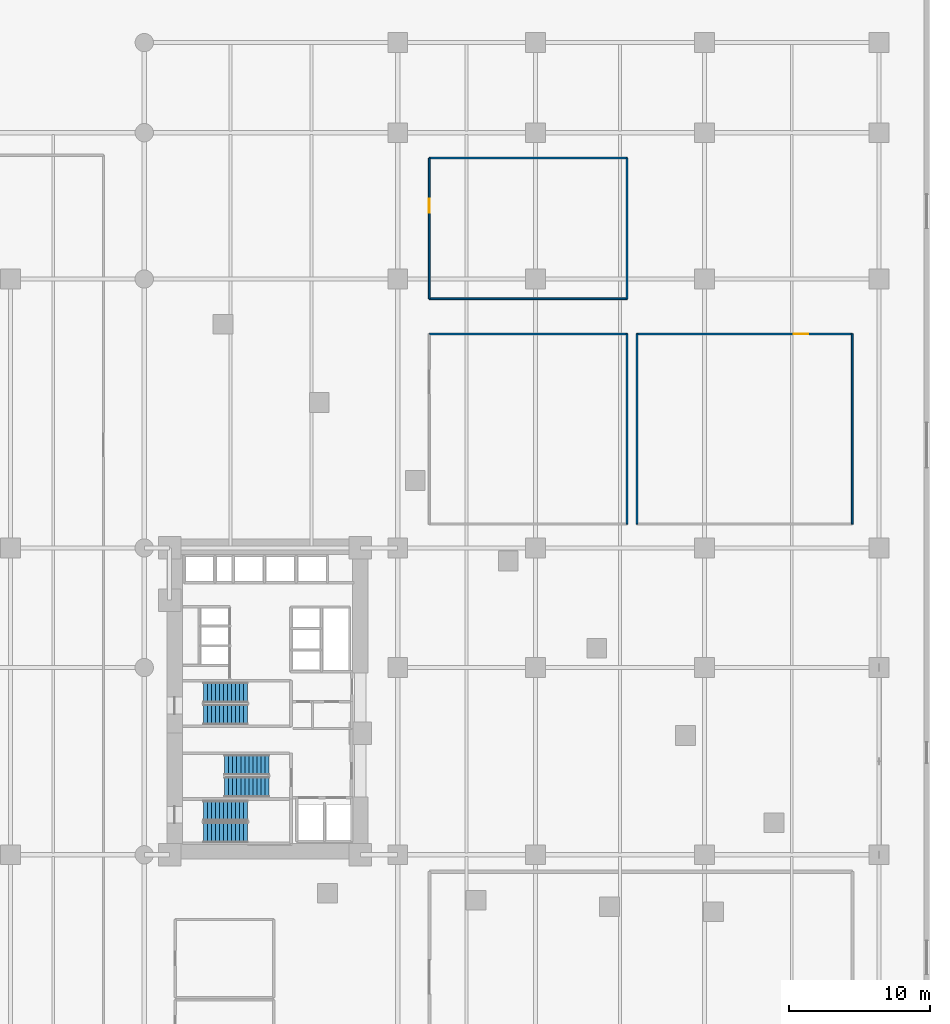
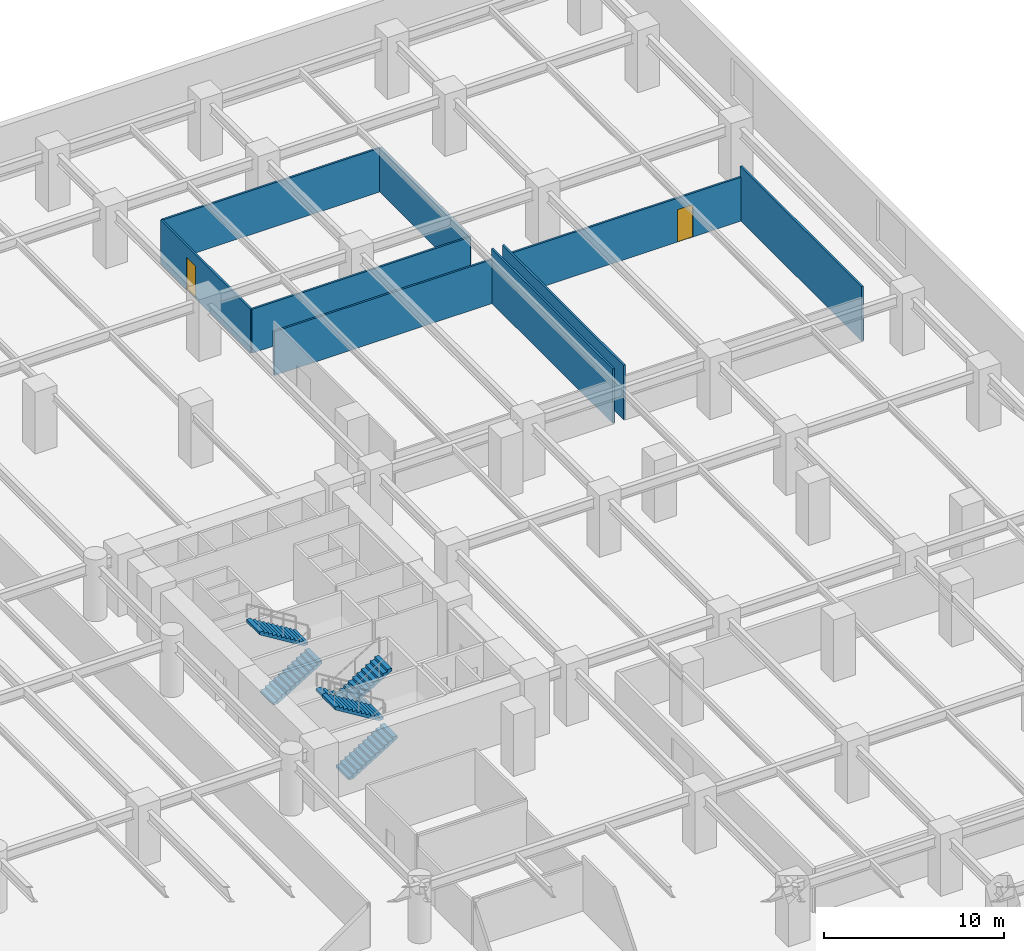
# One storey, part 15 of 20: 9 walls, 6 stair flights, 2 doors, 2 openings, 3 elements without a shape of their own.
"""IFC4 building model written with IfcOpenShell, lengths in metres."""

import ifcopenshell
import ifcopenshell.guid

model = None  # the IFC model being written
_history = None  # IfcOwnerHistory: only IFC2X3 demands one
_inside = {}  # id of a spatial element -> (the spatial element, [elements in it])
_under = {}  # id of a project, library or spatial element -> (it, [spatial elements below it])
_declared = {}  # id of a project -> (the project, [libraries it declares])
_typed = {}  # id of a type object -> (the type object, [elements of that type])
_made_of = {}  # id of a material, layer set ... -> (it, [elements and type objects made of it])


def new_model(schema):
    """Start an empty IFC model of exactly this schema.

    Asked for "IFC4X3", IfcOpenShell would pick the latest addendum, in which some entities
    have other attributes; the version numbers below select the first issue.
    IFC2X3 requires an IfcOwnerHistory on every rooted entity: one is made here for all.
    """
    global model, _history
    if schema == "IFC4X3":
        model = ifcopenshell.file(schema_version=(4, 3, 0, 0))
    else:
        model = ifcopenshell.file(schema=schema)
    _inside.clear()
    _under.clear()
    _declared.clear()
    _typed.clear()
    _made_of.clear()
    _history = None
    if model.schema == "IFC2X3":
        org = make("IfcOrganization", Name="unknown")
        user = make(
            "IfcPersonAndOrganization",
            ThePerson=make("IfcPerson", FamilyName="unknown"),
            TheOrganization=org,
        )
        app = make(
            "IfcApplication",
            ApplicationDeveloper=org,
            Version="unknown",
            ApplicationFullName="unknown",
            ApplicationIdentifier="unknown",
        )
        _history = make(
            "IfcOwnerHistory",
            OwningUser=user,
            OwningApplication=app,
            ChangeAction="ADDED",
            CreationDate=0,
        )
    return model


def make(cls, **values):
    """One entity of the class cls with the attributes given. An attribute that is None is left unset."""
    return model.create_entity(
        cls, **{name: value for name, value in values.items() if value is not None}
    )


def rooted(cls, **values):
    """An entity with a GlobalId (a new one), such as an element, a storey or a relation."""
    return make(cls, GlobalId=ifcopenshell.guid.new(), OwnerHistory=_history, **values)


def si_unit(unit_type, name, prefix=None):
    """IfcSIUnit, for example si_unit("LENGTHUNIT", "METRE", prefix="MILLI")."""
    return make("IfcSIUnit", UnitType=unit_type, Prefix=prefix, Name=name)


def assignment(units):
    """IfcUnitAssignment: the units of a project."""
    return None if units is None else make("IfcUnitAssignment", Units=units)


def point(xyz):
    """IfcCartesianPoint."""
    return None if xyz is None else make("IfcCartesianPoint", Coordinates=xyz)


def direction(xyz):
    """IfcDirection."""
    return None if xyz is None else make("IfcDirection", DirectionRatios=xyz)


def frame(location, z_axis=None, x_axis=None):
    """IfcAxis2Placement3D, a coordinate frame: its origin and axes. An axis left out is left unset."""
    return make(
        "IfcAxis2Placement3D",
        Location=point(location),
        Axis=direction(z_axis),
        RefDirection=direction(x_axis),
    )


def frame_2d(location, x_axis=None):
    """IfcAxis2Placement2D, a coordinate frame in the plane: its origin and x axis."""
    return make(
        "IfcAxis2Placement2D", Location=point(location), RefDirection=direction(x_axis)
    )


def origin():
    """The frame at (0, 0, 0) with its axes left unset."""
    return frame((0.0, 0.0, 0.0))


def place(relative_to, where):
    """IfcLocalPlacement: puts the frame where relative to a parent placement (None: the world)."""
    return make(
        "IfcLocalPlacement", PlacementRelTo=relative_to, RelativePlacement=where
    )


def context(
    kind, dimensions, precision=None, world=None, true_north=None, identifier=None
):
    """IfcGeometricRepresentationContext, for example the 3D "Model" context."""
    return make(
        "IfcGeometricRepresentationContext",
        ContextIdentifier=identifier,
        ContextType=kind,
        CoordinateSpaceDimension=dimensions,
        Precision=precision,
        WorldCoordinateSystem=world,
        TrueNorth=true_north,
    )


def subcontext(parent, identifier, kind, view, scale=None):
    """IfcGeometricRepresentationSubContext, for example "Body" below "Model"."""
    return make(
        "IfcGeometricRepresentationSubContext",
        ContextIdentifier=identifier,
        ContextType=kind,
        ParentContext=parent,
        TargetScale=scale,
        TargetView=view,
    )


def project(units=None, contexts=None):
    """IfcProject with its units and contexts."""
    return rooted(
        "IfcProject",
        Name="project",
        RepresentationContexts=contexts,
        UnitsInContext=assignment(units),
    )


def spatial(cls, under=None, at=None, **own):
    """A site, building, storey or space (cls), placed at a placement, below another one or the project."""
    s = rooted(cls, ObjectPlacement=at, **own)
    if under is not None:
        _under.setdefault(under.id(), (under, []))[1].append(s)
    return s


def polyline(points):
    """IfcPolyline through the points."""
    return make("IfcPolyline", Points=[point(p) for p in points])


def profile(cls, at=None, kind="AREA", **sizes):
    """A parametric profile (cls). Its sizes go by their IFC names, for example OverallWidth=200.0."""
    return make(cls, ProfileType=kind, Position=at, **sizes)


def rectangle(**sizes):
    """IfcRectangleProfileDef."""
    return profile("IfcRectangleProfileDef", **sizes)


def outline(outer, holes=None, kind="AREA"):
    """IfcArbitraryClosedProfileDef: a profile drawn as a closed curve; with holes, ...WithVoids."""
    if holes is None:
        return make("IfcArbitraryClosedProfileDef", ProfileType=kind, OuterCurve=outer)
    return make(
        "IfcArbitraryProfileDefWithVoids",
        ProfileType=kind,
        OuterCurve=outer,
        InnerCurves=holes,
    )


def extrude(swept, where, along, depth):
    """IfcExtrudedAreaSolid: the profile swept, set in the frame where, extruded along a direction by depth."""
    return make(
        "IfcExtrudedAreaSolid",
        SweptArea=swept,
        Position=where,
        ExtrudedDirection=direction(along),
        Depth=depth,
    )


def shape(context_of_items, identifier, shape_type, items):
    """IfcShapeRepresentation: the items that make up one representation, for example the "Body"."""
    return make(
        "IfcShapeRepresentation",
        ContextOfItems=context_of_items,
        RepresentationIdentifier=identifier,
        RepresentationType=shape_type,
        Items=items,
    )


def material(Name=None, Category=None):
    """IfcMaterial."""
    return make("IfcMaterial", Name=Name, Category=Category)


def layer(
    of_material, thickness, ventilated=None, Name=None, Category=None, Priority=None
):
    """IfcMaterialLayer: one layer of a wall or slab, of a material (None: an air gap)."""
    return make(
        "IfcMaterialLayer",
        Material=of_material,
        LayerThickness=thickness,
        IsVentilated=ventilated,
        Name=Name,
        Category=Category,
        Priority=Priority,
    )


def layer_set(layers, Name=None):
    """IfcMaterialLayerSet."""
    return make("IfcMaterialLayerSet", MaterialLayers=layers, LayerSetName=Name)


def made_of(thing, what):
    """Note that an element or type object is made of a material, layer set ...; save() writes the relation."""
    if what is not None:
        _made_of.setdefault(what.id(), (what, []))[1].append(thing)
    return thing


def type_object(cls, material=None, **own):
    """A type object (cls), such as IfcWallType, which elements share."""
    return made_of(rooted(cls, **own), material)


def element(
    cls,
    number,
    at=None,
    inside=None,
    cuts=None,
    type_object=None,
    material=None,
    context=None,
    identifier="Body",
    shape_type=None,
    held_by="IfcProductDefinitionShape",
    body=None,
    shapes=None,
    **own,
):
    """One element of the class cls, such as IfcWall. Its Tag is "e" and its number.

    at: its placement. inside: the storey or other place that contains it. cuts: it is an
    opening in that element (IfcRelVoidsElement). A single representation is given by context,
    identifier, shape_type and body (its items); several are given by shapes. held_by: the class
    of the entity that holds the representations. save() writes the other relations.
    """
    e = rooted(cls, Tag="e%d" % number, ObjectPlacement=at, **own)
    if body is not None:
        shapes = [shape(context, identifier, shape_type, body)]
    if shapes is not None:
        e.Representation = make(held_by, Representations=shapes)
    if inside is not None:
        _inside.setdefault(inside.id(), (inside, []))[1].append(e)
    if cuts is not None:
        rooted(
            "IfcRelVoidsElement", RelatingBuildingElement=cuts, RelatedOpeningElement=e
        )
    if type_object is not None:
        _typed.setdefault(type_object.id(), (type_object, []))[1].append(e)
    return made_of(e, material)


def fill(opening, filler):
    """IfcRelFillsElement: the door or window that sits in an opening."""
    return rooted(
        "IfcRelFillsElement",
        RelatingOpeningElement=opening,
        RelatedBuildingElement=filler,
    )


def aggregate(whole, parts):
    """IfcRelAggregates: a whole, such as a stair, and the parts it consists of."""
    return rooted("IfcRelAggregates", RelatingObject=whole, RelatedObjects=parts)


def save(model, path):
    """Write the relations noted so far, then the file.

    IfcRelAggregates (storeys below a building ...), IfcRelContainedInSpatialStructure (elements
    in a storey), IfcRelDefinesByType, IfcRelAssociatesMaterial and IfcRelDeclares: one each for
    every whole, place, type object, material and project.
    """
    for whole, parts in _under.values():
        aggregate(whole, parts)
    for where, things in _inside.values():
        rooted(
            "IfcRelContainedInSpatialStructure",
            RelatedElements=things,
            RelatingStructure=where,
        )
    for kind, things in _typed.values():
        rooted("IfcRelDefinesByType", RelatedObjects=things, RelatingType=kind)
    for what, things in _made_of.values():
        rooted("IfcRelAssociatesMaterial", RelatedObjects=things, RelatingMaterial=what)
    for by, libraries in _declared.values():
        rooted("IfcRelDeclares", RelatingContext=by, RelatedDefinitions=libraries)
    model.write(path)


model = new_model("IFC4")

# Units and contexts
model_context = context("Model", 3, precision=1e-05, world=origin(), true_north=direction((0.0, 1.0)))
body_context = subcontext(model_context, "Body", "Model", "MODEL_VIEW")
ifc_project = project(units=[si_unit("LENGTHUNIT", "METRE"), si_unit("AREAUNIT", "SQUARE_METRE"), si_unit("VOLUMEUNIT", "CUBIC_METRE"), si_unit("PLANEANGLEUNIT", "RADIAN"), si_unit("MASSUNIT", "GRAM", prefix="KILO")], contexts=[model_context])

# Site, building, storey
site_placement = place(None, origin())
site = spatial("IfcSite", under=ifc_project, at=site_placement, CompositionType="ELEMENT")
building_placement = place(site_placement, origin())
building = spatial("IfcBuilding", under=site, at=building_placement, Name="Narakoshi Arena Tower", CompositionType="ELEMENT")
storey_placement = place(building_placement, frame((0.0, 0.0, 17.39990234375)))
storey = spatial("IfcBuildingStorey", under=building, at=storey_placement, Name="L04", CompositionType="ELEMENT", Elevation=17.39990234375)

# Walls
ifc_material_1 = material(Name="Gypsum plasterboard fire-rated partition")
ifc_layer = layer(ifc_material_1, 0.125)
ifc_layer_set = layer_set([ifc_layer], Name="Gypsum plasterboard fire-rated partition")
wall_type = type_object("IfcWallType", Name="WL-PART-125", PredefinedType="PARTITIONING", material=ifc_layer_set)
wall_1_placement = place(storey_placement, frame((104.5, 58.199951171875, 0.0), z_axis=(0.0, 0.0, 1.0), x_axis=(0.0, 1.0, 0.0)))
element("IfcWall", 1, at=wall_1_placement, inside=storey, type_object=wall_type, Name="L04 Executive Conference Suite A Wall E", PredefinedType="PARTITIONING", context=body_context, shape_type="SweptSolid", body=[
    extrude(rectangle(XDim=13.5, YDim=0.125, at=frame_2d((6.75, 0.0))), origin(), (0.0, 0.0, 1.0), 3.7001953125),
])
wall_2_placement = place(storey_placement, frame((104.5, 71.699951171875, 0.0), z_axis=(0.0, 0.0, 1.0), x_axis=(-1.0, 0.0, 0.0)))
element("IfcWall", 2, at=wall_2_placement, inside=storey, type_object=wall_type, Name="L04 Executive Conference Suite A Wall N", PredefinedType="PARTITIONING", context=body_context, shape_type="SweptSolid", body=[
    extrude(rectangle(XDim=14.050048828125, YDim=0.125, at=frame_2d((7.02490234375, 0.0))), origin(), (0.0, 0.0, 1.0), 2.985107421875),
])
wall_3_placement = place(storey_placement, frame((120.5, 58.199951171875, 0.0), z_axis=(0.0, 0.0, 1.0), x_axis=(0.0, 1.0, 0.0)))
element("IfcWall", 3, at=wall_3_placement, inside=storey, type_object=wall_type, Name="L04 Executive Conference Suite B Wall E", PredefinedType="PARTITIONING", context=body_context, shape_type="SweptSolid", body=[
    extrude(rectangle(XDim=13.5, YDim=0.125, at=frame_2d((6.75, 0.0))), origin(), (0.0, 0.0, 1.0), 3.7001953125),
])

# Wall, opening, door
wall_4_placement = place(storey_placement, frame((120.5, 71.699951171875, 0.0), z_axis=(0.0, 0.0, 1.0), x_axis=(-1.0, 0.0, 0.0)))
wall_4 = element("IfcWall", 4, at=wall_4_placement, inside=storey, type_object=wall_type, Name="L04 Executive Conference Suite B Wall N", PredefinedType="PARTITIONING", context=body_context, shape_type="SweptSolid", body=[
    extrude(rectangle(XDim=15.300048828125, YDim=0.125, at=frame_2d((7.64990234375, 0.0))), origin(), (0.0, 0.0, 1.0), 2.985107421875),
])
opening_1_placement = place(wall_4_placement, frame((3.14599609375, 0.0, 0.0)))
opening_1 = element("IfcOpeningElement", 5, at=opening_1_placement, cuts=wall_4, Name="Opening D-06", PredefinedType="OPENING", context=body_context, shape_type="SweptSolid", body=[
    extrude(rectangle(XDim=1.0, YDim=2.199951171875, at=frame_2d((0.5, 1.10009765625))), frame((0.0, 0.072509765625, 0.0), z_axis=(0.0, -1.0, 0.0), x_axis=(1.0, 0.0, 0.0)), (0.0, 0.0, 1.0), 0.14501953125),
])
ifc_material_2 = material(Name="Stained oak solid-core timber", Category="wood")
door_type = type_object("IfcDoorType", Name="DR-OFF-1000", OperationType="NOTDEFINED", PredefinedType="DOOR", material=ifc_material_2)
door_1_placement = place(opening_1_placement, frame((1.0, 0.0, 0.0), z_axis=(0.0, 0.0, 1.0), x_axis=(-1.0, 0.0, 0.0)))
door_1 = element("IfcDoor", 6, at=door_1_placement, inside=storey, type_object=door_type, Name="DR-L04-024", OperationType="SINGLE_SWING_LEFT", OverallHeight=2.199951171875, OverallWidth=1.0, PredefinedType="DOOR", context=body_context, shape_type="SweptSolid", body=[
    extrude(rectangle(XDim=1.0, YDim=2.199951171875, at=frame_2d((0.5, 1.10009765625))), frame((0.0, 0.02490234375, 0.0), z_axis=(0.0, -1.0, 0.0), x_axis=(1.0, 0.0, 0.0)), (0.0, 0.0, 1.0), 0.050048828125),
])
fill(opening_1, door_1)

# Walls
wall_5_placement = place(storey_placement, frame((105.199951171875, 71.699951171875, 0.0), z_axis=(0.0, 0.0, 1.0), x_axis=(0.0, -1.0, 0.0)))
element("IfcWall", 7, at=wall_5_placement, inside=storey, type_object=wall_type, Name="L04 Executive Conference Suite B Wall W", PredefinedType="PARTITIONING", context=body_context, shape_type="SweptSolid", body=[
    extrude(rectangle(XDim=13.5, YDim=0.125, at=frame_2d((6.75, 0.0))), origin(), (0.0, 0.0, 1.0), 3.7001953125),
])
wall_6_placement = place(storey_placement, frame((90.449951171875, 74.199951171875, 0.0), z_axis=(0.0, 0.0, 1.0), x_axis=(1.0, 0.0, 0.0)))
element("IfcWall", 8, at=wall_6_placement, inside=storey, type_object=wall_type, Name="L04 Breakout Seminar Room 1 Wall S", PredefinedType="PARTITIONING", context=body_context, shape_type="SweptSolid", body=[
    extrude(rectangle(XDim=14.050048828125, YDim=0.125, at=frame_2d((7.02490234375, 0.0))), origin(), (0.0, 0.0, 1.0), 2.985107421875),
])
wall_7_placement = place(storey_placement, frame((104.5, 74.199951171875, 0.0), z_axis=(0.0, 0.0, 1.0), x_axis=(0.0, 1.0, 0.0)))
element("IfcWall", 9, at=wall_7_placement, inside=storey, type_object=wall_type, Name="L04 Breakout Seminar Room 1 Wall E", PredefinedType="PARTITIONING", context=body_context, shape_type="SweptSolid", body=[
    extrude(rectangle(XDim=10.0, YDim=0.125, at=frame_2d((5.0, 0.0))), origin(), (0.0, 0.0, 1.0), 2.985107421875),
])
wall_8_placement = place(storey_placement, frame((104.5, 84.199951171875, 0.0), z_axis=(0.0, 0.0, 1.0), x_axis=(-1.0, 0.0, 0.0)))
element("IfcWall", 10, at=wall_8_placement, inside=storey, type_object=wall_type, Name="L04 Breakout Seminar Room 1 Wall N", PredefinedType="PARTITIONING", context=body_context, shape_type="SweptSolid", body=[
    extrude(rectangle(XDim=14.050048828125, YDim=0.125, at=frame_2d((7.02490234375, 0.0))), origin(), (0.0, 0.0, 1.0), 2.985107421875),
])

# Wall, opening, door
wall_9_placement = place(storey_placement, frame((90.449951171875, 84.199951171875, 0.0), z_axis=(0.0, 0.0, 1.0), x_axis=(0.0, -1.0, 0.0)))
wall_9 = element("IfcWall", 11, at=wall_9_placement, inside=storey, type_object=wall_type, Name="L04 Breakout Seminar Room 1 Wall W", PredefinedType="PARTITIONING", context=body_context, shape_type="SweptSolid", body=[
    extrude(rectangle(XDim=10.0, YDim=0.125, at=frame_2d((5.0, 0.0))), origin(), (0.0, 0.0, 1.0), 2.985107421875),
])
opening_2_placement = place(wall_9_placement, frame((2.8798828125, 0.0, 0.0)))
opening_2 = element("IfcOpeningElement", 12, at=opening_2_placement, cuts=wall_9, Name="Opening D-06", PredefinedType="OPENING", context=body_context, shape_type="SweptSolid", body=[
    extrude(rectangle(XDim=1.0, YDim=2.199951171875, at=frame_2d((0.5, 1.10009765625))), frame((0.0, 0.072509765625, 0.0), z_axis=(0.0, -1.0, 0.0), x_axis=(1.0, 0.0, 0.0)), (0.0, 0.0, 1.0), 0.14501953125),
])
door_2_placement = place(opening_2_placement, frame((1.0, 0.0, 0.0), z_axis=(0.0, 0.0, 1.0), x_axis=(-1.0, 0.0, 0.0)))
door_2 = element("IfcDoor", 13, at=door_2_placement, inside=storey, type_object=door_type, Name="DR-L04-025", OperationType="SINGLE_SWING_RIGHT", OverallHeight=2.199951171875, OverallWidth=1.0, PredefinedType="DOOR", context=body_context, shape_type="SweptSolid", body=[
    extrude(rectangle(XDim=1.0, YDim=2.199951171875, at=frame_2d((0.5, 1.10009765625))), frame((0.0, 0.02490234375, 0.0), z_axis=(0.0, -1.0, 0.0), x_axis=(1.0, 0.0, 0.0)), (0.0, 0.0, 1.0), 0.050048828125),
])
fill(opening_2, door_2)

# Stair, stair flights
ifc_material_3 = material(Name="Concrete C45/55", Category="concrete")
stair_type = type_object("IfcStairType", Name="STR-PLANT-420", PredefinedType="TWO_STRAIGHT_RUN_STAIR", material=ifc_material_3)
stair_1_placement = place(storey_placement, origin())
stair_1 = element("IfcStair", 14, at=stair_1_placement, inside=storey, type_object=stair_type, Name="L04 Core Escape Stair ST1", PredefinedType="TWO_STRAIGHT_RUN_STAIR")
ifc_material_4 = material(Name="Precast concrete C45/55", Category="concrete")
stair_flight_type = type_object("IfcStairFlightType", Name="FLT-145-160", PredefinedType="STRAIGHT", material=ifc_material_4)
stair_flight_1_placement = place(storey_placement, frame((74.39990234375, 36.27490234375, 0.0), z_axis=(0.0, 0.0, 1.0), x_axis=(1.0, 0.0, 0.0)))
stair_flight_1 = element("IfcStairFlight", 15, at=stair_flight_1_placement, type_object=stair_flight_type, Name="ST1 flight 1", NumberOfRisers=12, NumberOfTreads=11, PredefinedType="STRAIGHT", RiserHeight=0.175, TreadLength=0.285, context=body_context, shape_type="SweptSolid", body=[
    extrude(outline(polyline([(0.0, 0.0), (0.0, 0.175048828125), (0.284912109375, 0.175048828125), (0.284912109375, 0.35009765625), (0.570068359375, 0.35009765625), (0.570068359375, 0.52490234375), (0.85498046875, 0.52490234375), (0.85498046875, 0.699951171875), (1.139892578125, 0.699951171875), (1.139892578125, 0.875), (1.425048828125, 0.875), (1.425048828125, 1.050048828125), (1.7099609375, 1.050048828125), (1.7099609375, 1.22509765625), (1.9951171875, 1.22509765625), (1.9951171875, 1.39990234375), (2.280029296875, 1.39990234375), (2.280029296875, 1.574951171875), (2.56494140625, 1.574951171875), (2.56494140625, 1.75), (2.85009765625, 1.75), (2.85009765625, 1.925048828125), (3.135009765625, 1.925048828125), (3.135009765625, 2.10009765625), (3.135009765625, 1.7490234375), (0.286376953125, 0.0), (0.0, 0.0)])), frame((0.0, 0.72509765625, 0.0), z_axis=(0.0, -1.0, 0.0), x_axis=(1.0, 0.0, 0.0)), (0.0, 0.0, 1.0), 1.449951171875),
])
stair_flight_2_placement = place(storey_placement, frame((77.534912109375, 37.824951171875, 2.10009765625), z_axis=(0.0, 0.0, 1.0), x_axis=(-1.0, 0.0, 0.0)))
stair_flight_2 = element("IfcStairFlight", 16, at=stair_flight_2_placement, type_object=stair_flight_type, Name="ST1 flight 2", NumberOfRisers=12, NumberOfTreads=11, PredefinedType="STRAIGHT", RiserHeight=0.175, TreadLength=0.285, context=body_context, shape_type="SweptSolid", body=[
    extrude(outline(polyline([(0.0, 0.0), (0.0, 0.175048828125), (0.284912109375, 0.175048828125), (0.284912109375, 0.35009765625), (0.570068359375, 0.35009765625), (0.570068359375, 0.52490234375), (0.85498046875, 0.52490234375), (0.85498046875, 0.699951171875), (1.139892578125, 0.699951171875), (1.139892578125, 0.875), (1.425048828125, 0.875), (1.425048828125, 1.050048828125), (1.7099609375, 1.050048828125), (1.7099609375, 1.22509765625), (1.9951171875, 1.22509765625), (1.9951171875, 1.39990234375), (2.280029296875, 1.39990234375), (2.280029296875, 1.574951171875), (2.56494140625, 1.574951171875), (2.56494140625, 1.75), (2.85009765625, 1.75), (2.85009765625, 1.925048828125), (3.135009765625, 1.925048828125), (3.135009765625, 2.10009765625), (3.135009765625, 1.7490234375), (0.286376953125, 0.0), (0.0, 0.0)])), frame((0.0, 0.72509765625, 0.0), z_axis=(0.0, -1.0, 0.0), x_axis=(1.0, 0.0, 0.0)), (0.0, 0.0, 1.0), 1.449951171875),
])
aggregate(stair_1, [stair_flight_1, stair_flight_2])

stair_2_placement = place(storey_placement, origin())
stair_2 = element("IfcStair", 17, at=stair_2_placement, inside=storey, type_object=stair_type, Name="L04 Core Escape Stair ST2", PredefinedType="TWO_STRAIGHT_RUN_STAIR")
stair_flight_3_placement = place(storey_placement, frame((79.050048828125, 41.074951171875, 0.0), z_axis=(0.0, 0.0, 1.0), x_axis=(-1.0, 0.0, 0.0)))
stair_flight_3 = element("IfcStairFlight", 18, at=stair_flight_3_placement, type_object=stair_flight_type, Name="ST2 flight 1", NumberOfRisers=12, NumberOfTreads=11, PredefinedType="STRAIGHT", RiserHeight=0.175, TreadLength=0.285, context=body_context, shape_type="SweptSolid", body=[
    extrude(outline(polyline([(0.0, 0.0), (0.0, 0.175048828125), (0.284912109375, 0.175048828125), (0.284912109375, 0.35009765625), (0.570068359375, 0.35009765625), (0.570068359375, 0.52490234375), (0.85498046875, 0.52490234375), (0.85498046875, 0.699951171875), (1.139892578125, 0.699951171875), (1.139892578125, 0.875), (1.425048828125, 0.875), (1.425048828125, 1.050048828125), (1.7099609375, 1.050048828125), (1.7099609375, 1.22509765625), (1.9951171875, 1.22509765625), (1.9951171875, 1.39990234375), (2.280029296875, 1.39990234375), (2.280029296875, 1.574951171875), (2.56494140625, 1.574951171875), (2.56494140625, 1.75), (2.85009765625, 1.75), (2.85009765625, 1.925048828125), (3.135009765625, 1.925048828125), (3.135009765625, 2.10009765625), (3.135009765625, 1.7490234375), (0.286376953125, 0.0), (0.0, 0.0)])), frame((0.0, 0.72509765625, 0.0), z_axis=(0.0, -1.0, 0.0), x_axis=(1.0, 0.0, 0.0)), (0.0, 0.0, 1.0), 1.449951171875),
])
stair_flight_4_placement = place(storey_placement, frame((75.9150390625, 39.52490234375, 2.10009765625), z_axis=(0.0, 0.0, 1.0), x_axis=(1.0, 0.0, 0.0)))
stair_flight_4 = element("IfcStairFlight", 19, at=stair_flight_4_placement, type_object=stair_flight_type, Name="ST2 flight 2", NumberOfRisers=12, NumberOfTreads=11, PredefinedType="STRAIGHT", RiserHeight=0.175, TreadLength=0.285, context=body_context, shape_type="SweptSolid", body=[
    extrude(outline(polyline([(0.0, 0.0), (0.0, 0.175048828125), (0.284912109375, 0.175048828125), (0.284912109375, 0.35009765625), (0.570068359375, 0.35009765625), (0.570068359375, 0.52490234375), (0.85498046875, 0.52490234375), (0.85498046875, 0.699951171875), (1.139892578125, 0.699951171875), (1.139892578125, 0.875), (1.425048828125, 0.875), (1.425048828125, 1.050048828125), (1.7099609375, 1.050048828125), (1.7099609375, 1.22509765625), (1.9951171875, 1.22509765625), (1.9951171875, 1.39990234375), (2.280029296875, 1.39990234375), (2.280029296875, 1.574951171875), (2.56494140625, 1.574951171875), (2.56494140625, 1.75), (2.85009765625, 1.75), (2.85009765625, 1.925048828125), (3.135009765625, 1.925048828125), (3.135009765625, 2.10009765625), (3.135009765625, 1.7490234375), (0.286376953125, 0.0), (0.0, 0.0)])), frame((0.0, 0.72509765625, 0.0), z_axis=(0.0, -1.0, 0.0), x_axis=(1.0, 0.0, 0.0)), (0.0, 0.0, 1.0), 1.449951171875),
])
aggregate(stair_2, [stair_flight_3, stair_flight_4])

stair_3_placement = place(storey_placement, origin())
stair_3 = element("IfcStair", 20, at=stair_3_placement, inside=storey, type_object=stair_type, Name="L04 Core Escape Stair ST3", PredefinedType="TWO_STRAIGHT_RUN_STAIR")
stair_flight_5_placement = place(storey_placement, frame((74.39990234375, 44.675048828125, 0.0), z_axis=(0.0, 0.0, 1.0), x_axis=(1.0, 0.0, 0.0)))
stair_flight_5 = element("IfcStairFlight", 21, at=stair_flight_5_placement, type_object=stair_flight_type, Name="ST3 flight 1", NumberOfRisers=12, NumberOfTreads=11, PredefinedType="STRAIGHT", RiserHeight=0.175, TreadLength=0.285, context=body_context, shape_type="SweptSolid", body=[
    extrude(outline(polyline([(0.0, 0.0), (0.0, 0.175048828125), (0.284912109375, 0.175048828125), (0.284912109375, 0.35009765625), (0.570068359375, 0.35009765625), (0.570068359375, 0.52490234375), (0.85498046875, 0.52490234375), (0.85498046875, 0.699951171875), (1.139892578125, 0.699951171875), (1.139892578125, 0.875), (1.425048828125, 0.875), (1.425048828125, 1.050048828125), (1.7099609375, 1.050048828125), (1.7099609375, 1.22509765625), (1.9951171875, 1.22509765625), (1.9951171875, 1.39990234375), (2.280029296875, 1.39990234375), (2.280029296875, 1.574951171875), (2.56494140625, 1.574951171875), (2.56494140625, 1.75), (2.85009765625, 1.75), (2.85009765625, 1.925048828125), (3.135009765625, 1.925048828125), (3.135009765625, 2.10009765625), (3.135009765625, 1.7490234375), (0.286376953125, 0.0), (0.0, 0.0)])), frame((0.0, 0.72509765625, 0.0), z_axis=(0.0, -1.0, 0.0), x_axis=(1.0, 0.0, 0.0)), (0.0, 0.0, 1.0), 1.449951171875),
])
stair_flight_6_placement = place(storey_placement, frame((77.534912109375, 46.22509765625, 2.10009765625), z_axis=(0.0, 0.0, 1.0), x_axis=(-1.0, 0.0, 0.0)))
stair_flight_6 = element("IfcStairFlight", 22, at=stair_flight_6_placement, type_object=stair_flight_type, Name="ST3 flight 2", NumberOfRisers=12, NumberOfTreads=11, PredefinedType="STRAIGHT", RiserHeight=0.175, TreadLength=0.285, context=body_context, shape_type="SweptSolid", body=[
    extrude(outline(polyline([(0.0, 0.0), (0.0, 0.175048828125), (0.284912109375, 0.175048828125), (0.284912109375, 0.35009765625), (0.570068359375, 0.35009765625), (0.570068359375, 0.52490234375), (0.85498046875, 0.52490234375), (0.85498046875, 0.699951171875), (1.139892578125, 0.699951171875), (1.139892578125, 0.875), (1.425048828125, 0.875), (1.425048828125, 1.050048828125), (1.7099609375, 1.050048828125), (1.7099609375, 1.22509765625), (1.9951171875, 1.22509765625), (1.9951171875, 1.39990234375), (2.280029296875, 1.39990234375), (2.280029296875, 1.574951171875), (2.56494140625, 1.574951171875), (2.56494140625, 1.75), (2.85009765625, 1.75), (2.85009765625, 1.925048828125), (3.135009765625, 1.925048828125), (3.135009765625, 2.10009765625), (3.135009765625, 1.7490234375), (0.286376953125, 0.0), (0.0, 0.0)])), frame((0.0, 0.72509765625, 0.0), z_axis=(0.0, -1.0, 0.0), x_axis=(1.0, 0.0, 0.0)), (0.0, 0.0, 1.0), 1.449951171875),
])
aggregate(stair_3, [stair_flight_5, stair_flight_6])

save(model, "model.ifc")
